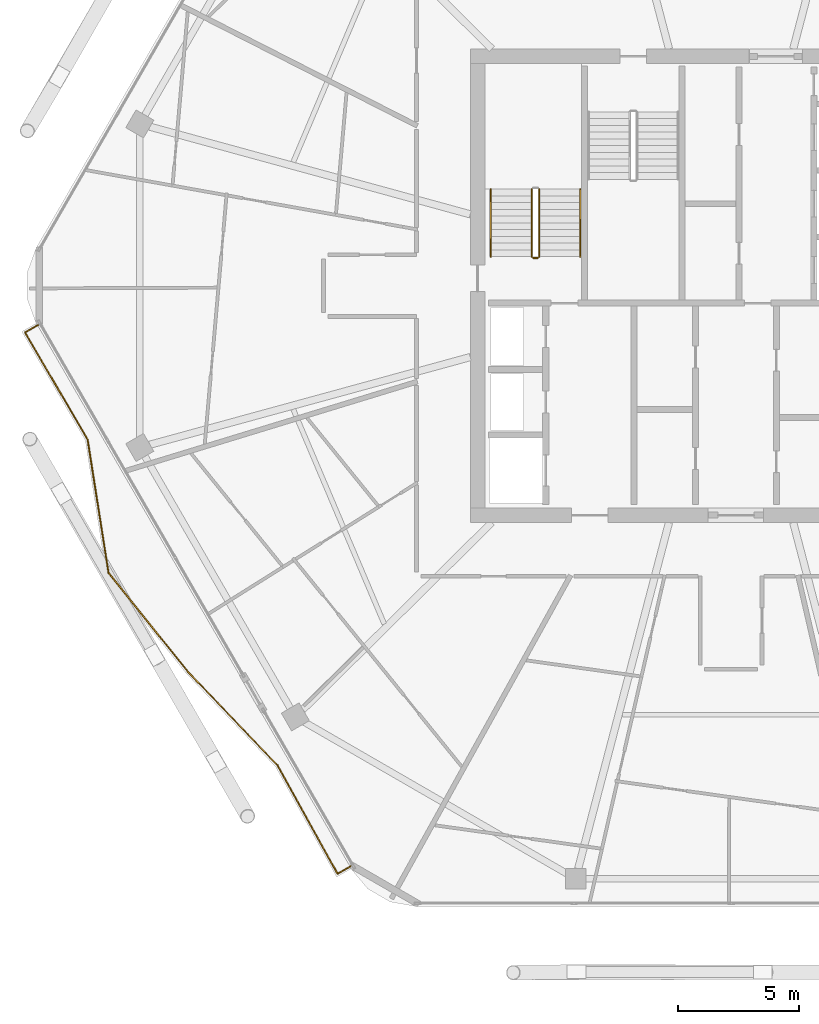
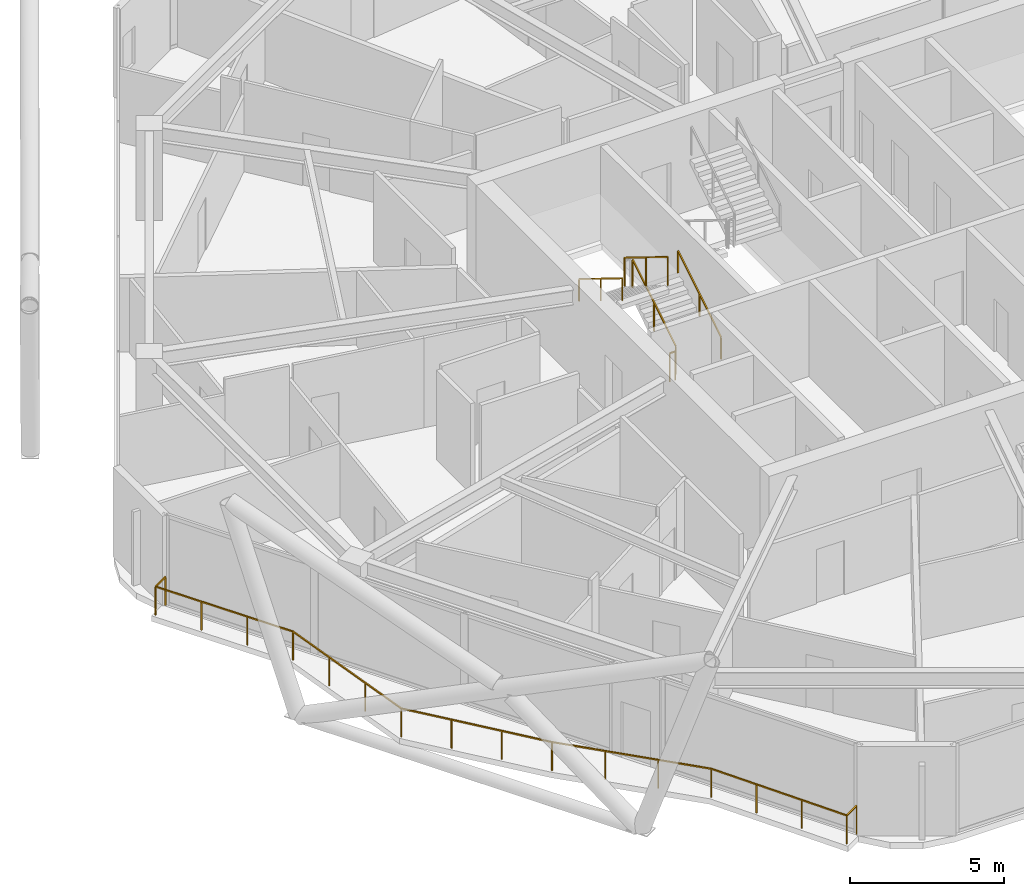
# One storey, part 26 of 28: 6 railings.
"""IFC4 building model written with IfcOpenShell, lengths in metres."""

import ifcopenshell
import ifcopenshell.guid

model = None  # the IFC model being written
_history = None  # IfcOwnerHistory: only IFC2X3 demands one
_inside = {}  # id of a spatial element -> (the spatial element, [elements in it])
_under = {}  # id of a project, library or spatial element -> (it, [spatial elements below it])
_declared = {}  # id of a project -> (the project, [libraries it declares])
_typed = {}  # id of a type object -> (the type object, [elements of that type])
_made_of = {}  # id of a material, layer set ... -> (it, [elements and type objects made of it])


def new_model(schema):
    """Start an empty IFC model of exactly this schema.

    Asked for "IFC4X3", IfcOpenShell would pick the latest addendum, in which some entities
    have other attributes; the version numbers below select the first issue.
    IFC2X3 requires an IfcOwnerHistory on every rooted entity: one is made here for all.
    """
    global model, _history
    if schema == "IFC4X3":
        model = ifcopenshell.file(schema_version=(4, 3, 0, 0))
    else:
        model = ifcopenshell.file(schema=schema)
    _inside.clear()
    _under.clear()
    _declared.clear()
    _typed.clear()
    _made_of.clear()
    _history = None
    if model.schema == "IFC2X3":
        org = make("IfcOrganization", Name="unknown")
        user = make(
            "IfcPersonAndOrganization",
            ThePerson=make("IfcPerson", FamilyName="unknown"),
            TheOrganization=org,
        )
        app = make(
            "IfcApplication",
            ApplicationDeveloper=org,
            Version="unknown",
            ApplicationFullName="unknown",
            ApplicationIdentifier="unknown",
        )
        _history = make(
            "IfcOwnerHistory",
            OwningUser=user,
            OwningApplication=app,
            ChangeAction="ADDED",
            CreationDate=0,
        )
    return model


def make(cls, **values):
    """One entity of the class cls with the attributes given. An attribute that is None is left unset."""
    return model.create_entity(
        cls, **{name: value for name, value in values.items() if value is not None}
    )


def rooted(cls, **values):
    """An entity with a GlobalId (a new one), such as an element, a storey or a relation."""
    return make(cls, GlobalId=ifcopenshell.guid.new(), OwnerHistory=_history, **values)


def si_unit(unit_type, name, prefix=None):
    """IfcSIUnit, for example si_unit("LENGTHUNIT", "METRE", prefix="MILLI")."""
    return make("IfcSIUnit", UnitType=unit_type, Prefix=prefix, Name=name)


def assignment(units):
    """IfcUnitAssignment: the units of a project."""
    return None if units is None else make("IfcUnitAssignment", Units=units)


def point(xyz):
    """IfcCartesianPoint."""
    return None if xyz is None else make("IfcCartesianPoint", Coordinates=xyz)


def direction(xyz):
    """IfcDirection."""
    return None if xyz is None else make("IfcDirection", DirectionRatios=xyz)


def frame(location, z_axis=None, x_axis=None):
    """IfcAxis2Placement3D, a coordinate frame: its origin and axes. An axis left out is left unset."""
    return make(
        "IfcAxis2Placement3D",
        Location=point(location),
        Axis=direction(z_axis),
        RefDirection=direction(x_axis),
    )


def frame_2d(location, x_axis=None):
    """IfcAxis2Placement2D, a coordinate frame in the plane: its origin and x axis."""
    return make(
        "IfcAxis2Placement2D", Location=point(location), RefDirection=direction(x_axis)
    )


def origin():
    """The frame at (0, 0, 0) with its axes left unset."""
    return frame((0.0, 0.0, 0.0))


def origin_2d():
    """The frame at (0, 0) in the plane with its x axis left unset."""
    return frame_2d((0.0, 0.0))


def place(relative_to, where):
    """IfcLocalPlacement: puts the frame where relative to a parent placement (None: the world)."""
    return make(
        "IfcLocalPlacement", PlacementRelTo=relative_to, RelativePlacement=where
    )


def context(
    kind, dimensions, precision=None, world=None, true_north=None, identifier=None
):
    """IfcGeometricRepresentationContext, for example the 3D "Model" context."""
    return make(
        "IfcGeometricRepresentationContext",
        ContextIdentifier=identifier,
        ContextType=kind,
        CoordinateSpaceDimension=dimensions,
        Precision=precision,
        WorldCoordinateSystem=world,
        TrueNorth=true_north,
    )


def subcontext(parent, identifier, kind, view, scale=None):
    """IfcGeometricRepresentationSubContext, for example "Body" below "Model"."""
    return make(
        "IfcGeometricRepresentationSubContext",
        ContextIdentifier=identifier,
        ContextType=kind,
        ParentContext=parent,
        TargetScale=scale,
        TargetView=view,
    )


def project(units=None, contexts=None):
    """IfcProject with its units and contexts."""
    return rooted(
        "IfcProject",
        Name="project",
        RepresentationContexts=contexts,
        UnitsInContext=assignment(units),
    )


def spatial(cls, under=None, at=None, **own):
    """A site, building, storey or space (cls), placed at a placement, below another one or the project."""
    s = rooted(cls, ObjectPlacement=at, **own)
    if under is not None:
        _under.setdefault(under.id(), (under, []))[1].append(s)
    return s


def profile(cls, at=None, kind="AREA", **sizes):
    """A parametric profile (cls). Its sizes go by their IFC names, for example OverallWidth=200.0."""
    return make(cls, ProfileType=kind, Position=at, **sizes)


def rectangle(**sizes):
    """IfcRectangleProfileDef."""
    return profile("IfcRectangleProfileDef", **sizes)


def extrude(swept, where, along, depth):
    """IfcExtrudedAreaSolid: the profile swept, set in the frame where, extruded along a direction by depth."""
    return make(
        "IfcExtrudedAreaSolid",
        SweptArea=swept,
        Position=where,
        ExtrudedDirection=direction(along),
        Depth=depth,
    )


def shape(context_of_items, identifier, shape_type, items):
    """IfcShapeRepresentation: the items that make up one representation, for example the "Body"."""
    return make(
        "IfcShapeRepresentation",
        ContextOfItems=context_of_items,
        RepresentationIdentifier=identifier,
        RepresentationType=shape_type,
        Items=items,
    )


def material(Name=None, Category=None):
    """IfcMaterial."""
    return make("IfcMaterial", Name=Name, Category=Category)


def made_of(thing, what):
    """Note that an element or type object is made of a material, layer set ...; save() writes the relation."""
    if what is not None:
        _made_of.setdefault(what.id(), (what, []))[1].append(thing)
    return thing


def type_object(cls, material=None, **own):
    """A type object (cls), such as IfcWallType, which elements share."""
    return made_of(rooted(cls, **own), material)


def element(
    cls,
    number,
    at=None,
    inside=None,
    cuts=None,
    type_object=None,
    material=None,
    context=None,
    identifier="Body",
    shape_type=None,
    held_by="IfcProductDefinitionShape",
    body=None,
    shapes=None,
    **own,
):
    """One element of the class cls, such as IfcWall. Its Tag is "e" and its number.

    at: its placement. inside: the storey or other place that contains it. cuts: it is an
    opening in that element (IfcRelVoidsElement). A single representation is given by context,
    identifier, shape_type and body (its items); several are given by shapes. held_by: the class
    of the entity that holds the representations. save() writes the other relations.
    """
    e = rooted(cls, Tag="e%d" % number, ObjectPlacement=at, **own)
    if body is not None:
        shapes = [shape(context, identifier, shape_type, body)]
    if shapes is not None:
        e.Representation = make(held_by, Representations=shapes)
    if inside is not None:
        _inside.setdefault(inside.id(), (inside, []))[1].append(e)
    if cuts is not None:
        rooted(
            "IfcRelVoidsElement", RelatingBuildingElement=cuts, RelatedOpeningElement=e
        )
    if type_object is not None:
        _typed.setdefault(type_object.id(), (type_object, []))[1].append(e)
    return made_of(e, material)


def aggregate(whole, parts):
    """IfcRelAggregates: a whole, such as a stair, and the parts it consists of."""
    return rooted("IfcRelAggregates", RelatingObject=whole, RelatedObjects=parts)


def save(model, path):
    """Write the relations noted so far, then the file.

    IfcRelAggregates (storeys below a building ...), IfcRelContainedInSpatialStructure (elements
    in a storey), IfcRelDefinesByType, IfcRelAssociatesMaterial and IfcRelDeclares: one each for
    every whole, place, type object, material and project.
    """
    for whole, parts in _under.values():
        aggregate(whole, parts)
    for where, things in _inside.values():
        rooted(
            "IfcRelContainedInSpatialStructure",
            RelatedElements=things,
            RelatingStructure=where,
        )
    for kind, things in _typed.values():
        rooted("IfcRelDefinesByType", RelatedObjects=things, RelatingType=kind)
    for what, things in _made_of.values():
        rooted("IfcRelAssociatesMaterial", RelatedObjects=things, RelatingMaterial=what)
    for by, libraries in _declared.values():
        rooted("IfcRelDeclares", RelatingContext=by, RelatedDefinitions=libraries)
    model.write(path)


model = new_model("IFC4")

# Units and contexts
model_context = context("Model", 3, precision=1e-05, world=origin(), true_north=direction((0.0, 1.0)))
body_context = subcontext(model_context, "Body", "Model", "MODEL_VIEW")
ifc_project = project(units=[si_unit("LENGTHUNIT", "METRE"), si_unit("AREAUNIT", "SQUARE_METRE"), si_unit("VOLUMEUNIT", "CUBIC_METRE"), si_unit("PLANEANGLEUNIT", "RADIAN"), si_unit("MASSUNIT", "GRAM", prefix="KILO")], contexts=[model_context])

# Site, building, storey
site_placement = place(None, origin())
site = spatial("IfcSite", under=ifc_project, at=site_placement, CompositionType="ELEMENT")
building_placement = place(site_placement, origin())
building = spatial("IfcBuilding", under=site, at=building_placement, Name="Zuhravey Tower", CompositionType="ELEMENT")
storey_placement = place(building_placement, frame((0.0, 0.0, 284.39990234375)))
storey = spatial("IfcBuildingStorey", under=building, at=storey_placement, Name="L72", CompositionType="ELEMENT", Elevation=284.39990234375)

# Railings
ifc_material_1 = material(Name="Stainless steel 316 and laminated glass", Category="steel")
railing_type_1 = type_object("IfcRailingType", Name="Balcony & Terrace Guardrail 1150", PredefinedType="BALUSTRADE", material=ifc_material_1)
railing_1_placement = place(storey_placement, frame((20.25830078125, 7.968017578125, 0.0)))
element("IfcRailing", 1, at=railing_1_placement, inside=storey, type_object=railing_type_1, Name="L72 Face 4 Wave Balcony Guardrail GR1", PredefinedType="BALUSTRADE", context=body_context, shape_type="SweptSolid", body=[
    extrude(rectangle(XDim=0.048095703125, YDim=0.048095703125, at=origin_2d()), frame((-0.001708984375, -0.0009765625, 1.1259765625), z_axis=(-0.865949780596, -0.500130960335, 0.0), x_axis=(0.500130960335, -0.865949780596, 0.0)), (0.0, 0.0, 1.0), 0.634033203125),
    extrude(rectangle(XDim=0.048095703125, YDim=0.048095703125, at=origin_2d()), frame((-0.553466796875, -0.3173828125, 1.1259765625), z_axis=(-0.484611915311, 0.874729267567, 0.0), x_axis=(-0.874729267567, -0.484611915311, 0.0)), (0.0, 0.0, 1.0), 5.12451171875),
    extrude(rectangle(XDim=0.048095703125, YDim=0.048095703125, at=origin_2d()), frame((-3.039306640625, 4.16845703125, 1.1259765625), z_axis=(-0.691204095295, 0.722659600813, 0.0), x_axis=(-0.722659600813, -0.691204095295, 0.0)), (0.0, 0.0, 1.0), 5.374755859375),
    extrude(rectangle(XDim=0.048095703125, YDim=0.048095703125, at=origin_2d()), frame((-6.7568359375, 8.055419921875, 1.1259765625), z_axis=(-0.625761293993, 0.780014617133, 0.0), x_axis=(-0.780014617133, -0.625761293993, 0.0)), (0.0, 0.0, 1.0), 5.24267578125),
    extrude(rectangle(XDim=0.048095703125, YDim=0.048095703125, at=origin_2d()), frame((-10.0390625, 12.1484375, 1.1259765625), z_axis=(-0.154967768845, 0.987919526388, 0.0), x_axis=(-0.987919526388, -0.154967768845, 0.0)), (0.0, 0.0, 1.0), 5.579345703125),
    extrude(rectangle(XDim=0.048095703125, YDim=0.048095703125, at=origin_2d()), frame((-10.905029296875, 17.6640625, 1.1259765625), z_axis=(-0.504589191185, 0.863359570596, 0.0), x_axis=(-0.863359570596, -0.504589191185, 0.0)), (0.0, 0.0, 1.0), 5.131103515625),
    extrude(rectangle(XDim=0.048095703125, YDim=0.048095703125, at=origin_2d()), frame((-13.493408203125, 22.0966796875, 1.1259765625), z_axis=(0.86609656662, 0.499876722092, 0.0), x_axis=(-0.499876722092, 0.86609656662, 0.0)), (0.0, 0.0, 1.0), 0.63525390625),
    extrude(rectangle(XDim=0.0419921875, YDim=0.0419921875, at=origin_2d()), origin(), (0.0, 0.0, 1.0), 1.099853515625),
    extrude(rectangle(XDim=0.0419921875, YDim=0.0419921875, at=origin_2d()), frame((-0.552490234375, -0.319091796875, 0.0)), (0.0, 0.0, 1.0), 1.099853515625),
    extrude(rectangle(XDim=0.0419921875, YDim=0.0419921875, at=origin_2d()), frame((-1.380859375, 1.17626953125, 0.0)), (0.0, 0.0, 1.0), 1.099853515625),
    extrude(rectangle(XDim=0.0419921875, YDim=0.0419921875, at=origin_2d()), frame((-2.20947265625, 2.671630859375, 0.0)), (0.0, 0.0, 1.0), 1.099853515625),
    extrude(rectangle(XDim=0.0419921875, YDim=0.0419921875, at=origin_2d()), frame((-3.037841796875, 4.1669921875, 0.0)), (0.0, 0.0, 1.0), 1.099853515625),
    extrude(rectangle(XDim=0.0419921875, YDim=0.0419921875, at=origin_2d()), frame((-4.277099609375, 5.462646484375, 0.0)), (0.0, 0.0, 1.0), 1.099853515625),
    extrude(rectangle(XDim=0.0419921875, YDim=0.0419921875, at=origin_2d()), frame((-5.516357421875, 6.75830078125, 0.0)), (0.0, 0.0, 1.0), 1.099853515625),
    extrude(rectangle(XDim=0.0419921875, YDim=0.0419921875, at=origin_2d()), frame((-6.755615234375, 8.053955078125, 0.0)), (0.0, 0.0, 1.0), 1.099853515625),
    extrude(rectangle(XDim=0.0419921875, YDim=0.0419921875, at=origin_2d()), frame((-7.85009765625, 9.418212890625, 0.0)), (0.0, 0.0, 1.0), 1.099853515625),
    extrude(rectangle(XDim=0.0419921875, YDim=0.0419921875, at=origin_2d()), frame((-8.9443359375, 10.7822265625, 0.0)), (0.0, 0.0, 1.0), 1.099853515625),
    extrude(rectangle(XDim=0.0419921875, YDim=0.0419921875, at=origin_2d()), frame((-10.038818359375, 12.146484375, 0.0)), (0.0, 0.0, 1.0), 1.099853515625),
    extrude(rectangle(XDim=0.0419921875, YDim=0.0419921875, at=origin_2d()), frame((-10.3271484375, 13.985107421875, 0.0)), (0.0, 0.0, 1.0), 1.099853515625),
    extrude(rectangle(XDim=0.0419921875, YDim=0.0419921875, at=origin_2d()), frame((-10.61572265625, 15.82373046875, 0.0)), (0.0, 0.0, 1.0), 1.099853515625),
    extrude(rectangle(XDim=0.0419921875, YDim=0.0419921875, at=origin_2d()), frame((-10.904052734375, 17.662353515625, 0.0)), (0.0, 0.0, 1.0), 1.099853515625),
    extrude(rectangle(XDim=0.0419921875, YDim=0.0419921875, at=origin_2d()), frame((-11.767822265625, 19.14013671875, 0.0)), (0.0, 0.0, 1.0), 1.099853515625),
    extrude(rectangle(XDim=0.0419921875, YDim=0.0419921875, at=origin_2d()), frame((-12.63134765625, 20.617919921875, 0.0)), (0.0, 0.0, 1.0), 1.099853515625),
    extrude(rectangle(XDim=0.0419921875, YDim=0.0419921875, at=origin_2d()), frame((-13.4951171875, 22.095703125, 0.0)), (0.0, 0.0, 1.0), 1.099853515625),
    extrude(rectangle(XDim=0.0419921875, YDim=0.0419921875, at=origin_2d()), frame((-12.94140625, 22.415283203125, 0.0)), (0.0, 0.0, 1.0), 1.099853515625),
])
ifc_material_2 = material(Name="Brushed stainless steel", Category="steel")
railing_type_2 = type_object("IfcRailingType", Name="Stair Wall Handrail 900", PredefinedType="HANDRAIL", material=ifc_material_2)
railing_2_placement = place(storey_placement, frame((29.75, 33.199951171875, 0.1728515625)))
element("IfcRailing", 2, at=railing_2_placement, inside=storey, type_object=railing_type_2, Name="L72 ST1 stair handrail 1", PredefinedType="HANDRAIL", context=body_context, shape_type="SweptSolid", body=[
    extrude(rectangle(XDim=0.048095703125, YDim=0.048095703125, at=origin_2d()), frame((0.0, 0.001708984375, 0.876953125), z_axis=(0.0, 0.851089632645, 0.525020415988), x_axis=(-1.0, 0.0, 0.0)), (0.0, 0.0, 1.0), 3.285888671875),
    extrude(rectangle(XDim=0.0419921875, YDim=0.0419921875, at=origin_2d()), origin(), (0.0, 0.0, 1.0), 0.849853515625),
    extrude(rectangle(XDim=0.0419921875, YDim=0.0419921875, at=origin_2d()), frame((0.0, 1.39990234375, 0.86376953125)), (0.0, 0.0, 1.0), 0.849853515625),
    extrude(rectangle(XDim=0.0419921875, YDim=0.0419921875, at=origin_2d()), frame((0.0, 2.800048828125, 1.727294921875)), (0.0, 0.0, 1.0), 0.849853515625),
])
railing_3_placement = place(storey_placement, frame((26.050048828125, 36.0, 2.07275390625)))
element("IfcRailing", 3, at=railing_3_placement, inside=storey, type_object=railing_type_2, Name="L72 ST1 stair handrail 2", PredefinedType="HANDRAIL", context=body_context, shape_type="SweptSolid", body=[
    extrude(rectangle(XDim=0.048095703125, YDim=0.048095703125, at=origin_2d()), frame((0.0, -0.001708984375, 0.876953125), z_axis=(0.0, -0.851089632645, 0.525020415988), x_axis=(1.0, 0.0, 0.0)), (0.0, 0.0, 1.0), 3.285888671875),
    extrude(rectangle(XDim=0.0419921875, YDim=0.0419921875, at=origin_2d()), origin(), (0.0, 0.0, 1.0), 0.849853515625),
    extrude(rectangle(XDim=0.0419921875, YDim=0.0419921875, at=origin_2d()), frame((0.0, -1.39990234375, 0.86376953125)), (0.0, 0.0, 1.0), 0.849853515625),
    extrude(rectangle(XDim=0.0419921875, YDim=0.0419921875, at=origin_2d()), frame((0.0, -2.800048828125, 1.727294921875)), (0.0, 0.0, 1.0), 0.849853515625),
])
ifc_material_3 = material(Name="Painted tubular steel", Category="steel")
railing_type_3 = type_object("IfcRailingType", Name="Stair Well Guardrail 1150", PredefinedType="GUARDRAIL", material=ifc_material_3)
railing_4_placement = place(storey_placement, frame((28.050048828125, 33.199951171875, 0.1728515625)))
element("IfcRailing", 4, at=railing_4_placement, inside=storey, type_object=railing_type_3, Name="L72 ST1 stair guard 1", PredefinedType="GUARDRAIL", context=body_context, shape_type="SweptSolid", body=[
    extrude(rectangle(XDim=0.048095703125, YDim=0.048095703125, at=origin_2d()), frame((0.0, 0.001708984375, 1.126953125), z_axis=(0.0, 0.851089632645, 0.525020415988), x_axis=(-1.0, 0.0, 0.0)), (0.0, 0.0, 1.0), 3.285888671875),
    extrude(rectangle(XDim=0.0419921875, YDim=0.0419921875, at=origin_2d()), origin(), (0.0, 0.0, 1.0), 1.099853515625),
    extrude(rectangle(XDim=0.0419921875, YDim=0.0419921875, at=origin_2d()), frame((0.0, 1.39990234375, 0.86376953125)), (0.0, 0.0, 1.0), 1.099853515625),
    extrude(rectangle(XDim=0.0419921875, YDim=0.0419921875, at=origin_2d()), frame((0.0, 2.800048828125, 1.727294921875)), (0.0, 0.0, 1.0), 1.099853515625),
])
railing_5_placement = place(storey_placement, frame((27.75, 36.0, 2.07275390625)))
element("IfcRailing", 5, at=railing_5_placement, inside=storey, type_object=railing_type_3, Name="L72 ST1 stair guard 3", PredefinedType="GUARDRAIL", context=body_context, shape_type="SweptSolid", body=[
    extrude(rectangle(XDim=0.048095703125, YDim=0.048095703125, at=origin_2d()), frame((0.0, -0.001708984375, 1.126953125), z_axis=(0.0, -0.851089632645, 0.525020415988), x_axis=(1.0, 0.0, 0.0)), (0.0, 0.0, 1.0), 3.285888671875),
    extrude(rectangle(XDim=0.0419921875, YDim=0.0419921875, at=origin_2d()), origin(), (0.0, 0.0, 1.0), 1.099853515625),
    extrude(rectangle(XDim=0.0419921875, YDim=0.0419921875, at=origin_2d()), frame((0.0, -1.39990234375, 0.86376953125)), (0.0, 0.0, 1.0), 1.099853515625),
    extrude(rectangle(XDim=0.0419921875, YDim=0.0419921875, at=origin_2d()), frame((0.0, -2.800048828125, 1.727294921875)), (0.0, 0.0, 1.0), 1.099853515625),
])
railing_6_placement = place(storey_placement, frame((28.0, 33.14990234375, 0.0)))
element("IfcRailing", 6, at=railing_6_placement, inside=storey, type_object=railing_type_3, Name="L72 ST1 stair guard 4", PredefinedType="GUARDRAIL", context=body_context, shape_type="SweptSolid", body=[
    extrude(rectangle(XDim=0.048095703125, YDim=0.048095703125, at=origin_2d()), frame((-0.001953125, 0.0, 1.1259765625), z_axis=(-1.0, 0.0, 0.0), x_axis=(0.0, -1.0, 0.0)), (0.0, 0.0, 1.0), 0.196044921875),
    extrude(rectangle(XDim=0.0419921875, YDim=0.0419921875, at=origin_2d()), origin(), (0.0, 0.0, 1.0), 1.099853515625),
    extrude(rectangle(XDim=0.0419921875, YDim=0.0419921875, at=origin_2d()), frame((-0.199951171875, 0.0, 0.0)), (0.0, 0.0, 1.0), 1.099853515625),
])

save(model, "model.ifc")
